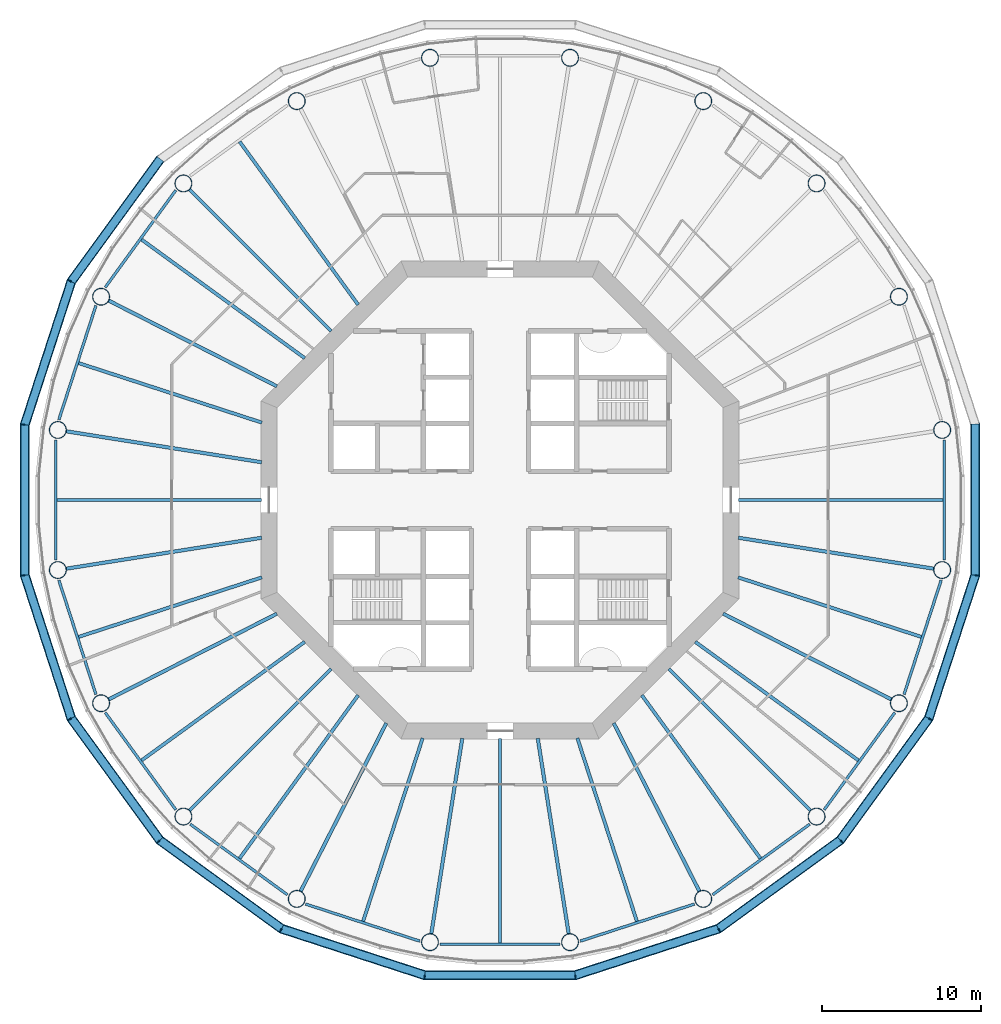
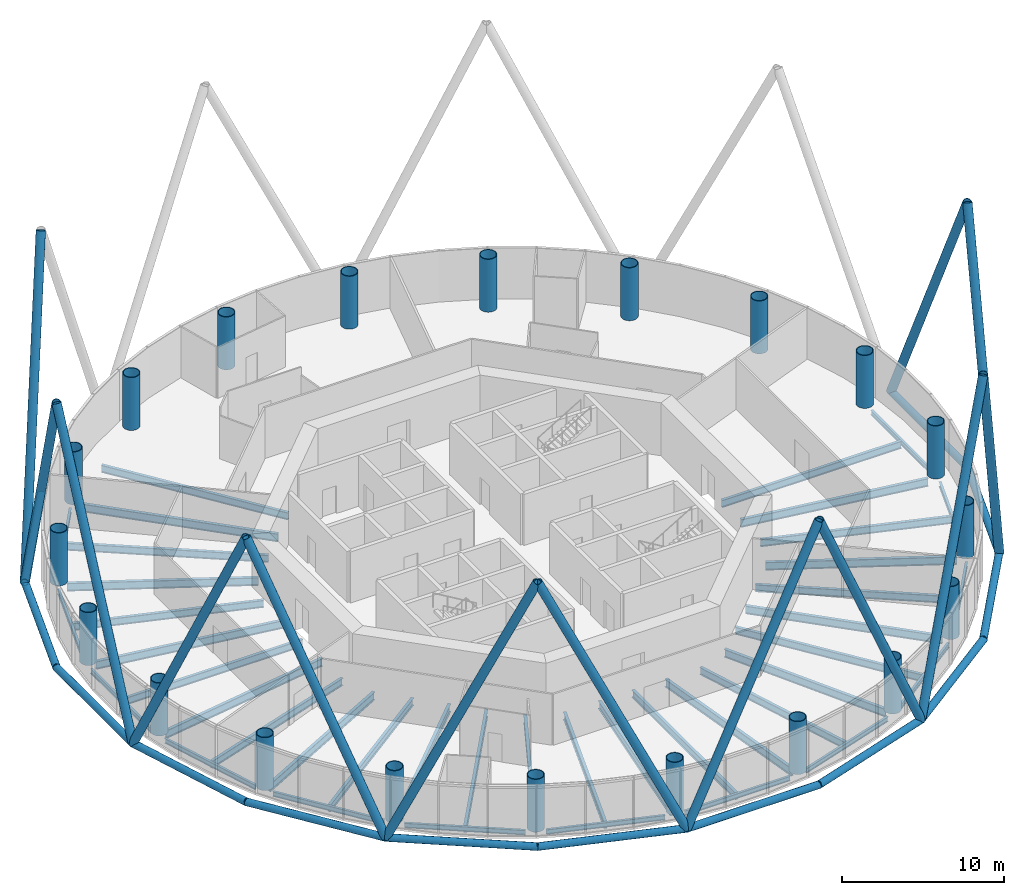
# One storey, part 1 of 12: 40 beams, 26 members, 20 columns.
"""IFC4 building model written with IfcOpenShell, lengths in metres."""

from ifc_helpers import new_model, si_unit, direction, frame, origin, origin_2d, place, context, subcontext, project, spatial, circle, hollow_circle, i_section, extrude, material, material_profile, profile_set, type_object, element, save


model = new_model("IFC4")

# Units and contexts
model_context = context("Model", 3, precision=1e-05, world=origin(), true_north=direction((0.0, 1.0)))
body_context = subcontext(model_context, "Body", "Model", "MODEL_VIEW")
ifc_project = project(units=[si_unit("LENGTHUNIT", "METRE"), si_unit("AREAUNIT", "SQUARE_METRE"), si_unit("VOLUMEUNIT", "CUBIC_METRE"), si_unit("PLANEANGLEUNIT", "RADIAN"), si_unit("MASSUNIT", "GRAM", prefix="KILO")], contexts=[model_context])

# Site, building, storey
site_placement = place(None, origin())
site = spatial("IfcSite", under=ifc_project, at=site_placement, CompositionType="ELEMENT")
building_placement = place(site_placement, origin())
building = spatial("IfcBuilding", under=site, at=building_placement, Name="Entoto Ring Tower", CompositionType="ELEMENT")
storey_placement = place(building_placement, frame((0.0, 0.0, 144.0)))
storey = spatial("IfcBuildingStorey", under=building, at=storey_placement, Name="L32", CompositionType="ELEMENT", Elevation=144.0)

# Columns
ifc_material_1 = material(Name="Steel S355", Category="steel")
ifc_material_profile_1 = material_profile(ifc_material_1, hollow_circle(Radius=0.550048828125, WallThickness=0.050048828125, at=origin_2d()), Name="CHS 1100 x 50")
ifc_material_2 = material(Name="Concrete C60/75", Category="concrete")
ifc_material_profile_2 = material_profile(ifc_material_2, circle(Radius=0.5, at=origin_2d()), Name="Concrete C60/75 infill")
ifc_profile_set_1 = profile_set([ifc_material_profile_1, ifc_material_profile_2], Name="Steel S355")
column_type = type_object("IfcColumnType", Name="Ring column 1100 x 50 concrete-filled tube", PredefinedType="COLUMN", material=ifc_profile_set_1)
for number, where, z_axis, x_axis, name in (
    (1, (117.754150390625, 84.395751953125, 0.0), (0.0, 0.0, 1.0), (1.0, 0.0, 0.0), "RC3 R01"),
    (2, (115.037353515625, 92.757080078125, 0.0), (0.0, 0.0, 1.0), (1.0, 0.0, 0.0), "RC3 R02"),
    (3, (109.86962890625, 99.86962890625, 0.0), (0.0, 0.0, 1.0), (1.0, 0.0, 0.0), "RC3 R03"),
    (4, (102.757080078125, 105.037353515625, 0.0), (0.0, 0.0, 1.0), (1.0, 0.0, 0.0), "RC3 R04"),
    (5, (94.395751953125, 107.754150390625, 0.0), (0.0, 0.0, 1.0), (1.0, 0.0, 0.0), "RC3 R05"),
    (6, (85.604248046875, 107.754150390625, 0.0), (0.0, 0.0, 1.0), (1.0, 0.0, 0.0), "RC3 R06"),
    (7, (77.242919921875, 105.037353515625, 0.0), (0.0, 0.0, 1.0), (1.0, 0.0, 0.0), "RC3 R07"),
    (8, (70.13037109375, 99.86962890625, 0.0), (0.0, 0.0, 1.0), (1.0, 0.0, 0.0), "RC3 R08"),
    (9, (64.962646484375, 92.757080078125, 0.0), (0.0, 0.0, 1.0), (1.0, 0.0, 0.0), "RC3 R09"),
    (10, (62.245849609375, 84.395751953125, 0.0), (0.0, 0.0, 1.0), (1.0, 0.0, 0.0), "RC3 R10"),
    (11, (62.245849609375, 75.604248046875, 0.0), (0.0, 0.0, 1.0), (1.0, 0.0, 0.0), "RC3 R11"),
    (12, (64.962646484375, 67.242919921875, 0.0), (0.0, 0.0, 1.0), (1.0, 0.0, 0.0), "RC3 R12"),
    (13, (70.13037109375, 60.13037109375, 0.0), (0.0, 0.0, 1.0), (1.0, 0.0, 0.0), "RC3 R13"),
    (14, (77.242919921875, 54.962646484375, 0.0), (0.0, 0.0, 1.0), (1.0, 0.0, 0.0), "RC3 R14"),
    (15, (85.604248046875, 52.245849609375, 0.0), (0.0, 0.0, 1.0), (1.0, 0.0, 0.0), "RC3 R15"),
    (16, (94.395751953125, 52.245849609375, 0.0), (0.0, 0.0, 1.0), (1.0, 0.0, 0.0), "RC3 R16"),
    (17, (102.757080078125, 54.962646484375, 0.0), (0.0, 0.0, 1.0), (1.0, 0.0, 0.0), "RC3 R17"),
    (18, (109.86962890625, 60.13037109375, 0.0), (0.0, 0.0, 1.0), (1.0, 0.0, 0.0), "RC3 R18"),
    (19, (115.037353515625, 67.242919921875, 0.0), (0.0, 0.0, 1.0), (1.0, 0.0, 0.0), "RC3 R19"),
    (20, (117.754150390625, 75.604248046875, 0.0), (0.0, 0.0, 1.0), (1.0, 0.0, 0.0), "RC3 R20"),
):
    element("IfcColumn", number, at=place(storey_placement, frame(where, z_axis=z_axis, x_axis=x_axis)), inside=storey, type_object=column_type, Name=name, PredefinedType="COLUMN", context=body_context, shape_type="SweptSolid", body=[
        extrude(hollow_circle(Radius=0.550048828125, WallThickness=0.050048828125, at=origin_2d()), origin(), (0.0, 0.0, 1.0), 4.0),
    ])

# Members
ifc_material_3 = material(Name="Steel S355", Category="steel")
ifc_material_profile_3 = material_profile(ifc_material_3, hollow_circle(Radius=0.300048828125, WallThickness=0.030029296875, at=origin_2d()), Name="CHS 600 x 30")
ifc_material_4 = material(Name="Concrete C60/75", Category="concrete")
ifc_material_profile_4 = material_profile(ifc_material_4, circle(Radius=0.27001953125, at=origin_2d()), Name="Concrete C60/75 infill")
ifc_profile_set_2 = profile_set([ifc_material_profile_3, ifc_material_profile_4], Name="Steel S355")
member_type_1 = type_object("IfcMemberType", Name="Diagrid diagonal 600 x 30 concrete-filled tube", PredefinedType="BRACE", material=ifc_profile_set_2)
for number, where, z_axis, x_axis, name in (
    (21, (119.828125, 84.724365234375, 0.0), (0.0, -0.427164734279, 0.904173816137), (1.0, 0.0, 0.0), "DG4 module 11 01"),
    (22, (63.091552734375, 93.71044921875, 0.0), (0.2510759177, 0.345588098254, 0.904173517582), (-0.809026493198, 0.587772178061, 0.0), "DG4 module 11 09"),
    (23, (63.091552734375, 93.71044921875, 0.0), (-0.131995385813, -0.406250870943, 0.904177774545), (0.951058940693, -0.309009532745, 0.0), "DG4 module 11 10"),
    (24, (60.171875, 75.275634765625, 0.0), (0.0, 0.427164734279, 0.904173816137), (-1.0, 0.0, 0.0), "DG4 module 11 11"),
    (25, (60.171875, 75.275634765625, 0.0), (0.131995385813, -0.406250870943, 0.904177774545), (0.951058940693, 0.309009532745, 0.0), "DG4 module 11 12"),
    (26, (68.645263671875, 58.645263671875, 0.0), (-0.2510759177, 0.345588098254, 0.904173517582), (-0.809026493198, -0.587772178061, 0.0), "DG4 module 11 13"),
    (27, (68.645263671875, 58.645263671875, 0.0), (0.345588098254, -0.2510759177, 0.904173517582), (0.587772178061, 0.809026493198, 0.0), "DG4 module 11 14"),
    (28, (85.275634765625, 50.171875, 0.0), (-0.406250870943, 0.131995385813, 0.904177774545), (-0.309009532745, -0.951058940693, 0.0), "DG4 module 11 15"),
    (29, (85.275634765625, 50.171875, 0.0), (0.427164734279, 0.0, 0.904173816137), (0.0, 1.0, 0.0), "DG4 module 11 16"),
    (30, (103.71044921875, 53.091552734375, 0.0), (-0.406250870943, -0.131995385813, 0.904177774545), (0.309009532745, -0.951058940693, 0.0), "DG4 module 11 17"),
    (31, (103.71044921875, 53.091552734375, 0.0), (0.345588098254, 0.2510759177, 0.904173517582), (-0.587772178061, 0.809026493198, 0.0), "DG4 module 11 18"),
    (32, (116.908447265625, 66.28955078125, 0.0), (-0.2510759177, -0.345588098254, 0.904173517582), (0.809026493198, -0.587772178061, 0.0), "DG4 module 11 19"),
    (33, (116.908447265625, 66.28955078125, 0.0), (0.131995385813, 0.406250870943, 0.904177774545), (-0.951058940693, 0.309009532745, 0.0), "DG4 module 11 20"),
):
    element("IfcMember", number, at=place(storey_placement, frame(where, z_axis=z_axis, x_axis=x_axis)), inside=storey, type_object=member_type_1, Name=name, PredefinedType="BRACE", context=body_context, shape_type="SweptSolid", body=[
        extrude(hollow_circle(Radius=0.300048828125, WallThickness=0.030029296875, at=origin_2d()), origin(), (0.0, 0.0, 1.0), 22.11962890625),
    ])
ifc_material_5 = material(Name="Steel S355", Category="steel")
ifc_material_profile_5 = material_profile(ifc_material_5, hollow_circle(Radius=0.25390625, WallThickness=0.030029296875, at=origin_2d()), Name="CHS 508 x 30")
ifc_material_6 = material(Name="Concrete C60/75", Category="concrete")
ifc_material_profile_6 = material_profile(ifc_material_6, circle(Radius=0.22412109375, at=origin_2d()), Name="Concrete C60/75 infill")
ifc_profile_set_3 = profile_set([ifc_material_profile_5, ifc_material_profile_6], Name="Steel S355")
member_type_2 = type_object("IfcMemberType", Name="Diagrid ring beam 508 x 30", PredefinedType="CHORD", material=ifc_profile_set_3)
for number, where, z_axis, x_axis, name in (
    (34, (68.6806640625, 101.4033203125, 0.0), (-0.587786303985, -0.809016230274, 0.0), (0.809016230274, -0.587786303985, 0.0), "DR2 ring 10 08"),
    (35, (63.110107421875, 93.767822265625, 0.0), (-0.308993189852, -0.951064250524, 0.0), (0.951064250524, -0.308993189852, 0.0), "DR2 ring 10 09"),
):
    element("IfcMember", number, at=place(storey_placement, frame(where, z_axis=z_axis, x_axis=x_axis)), inside=storey, type_object=member_type_2, Name=name, PredefinedType="CHORD", context=body_context, shape_type="SweptSolid", body=[
        extrude(hollow_circle(Radius=0.25390625, WallThickness=0.030029296875, at=origin_2d()), origin(), (0.0, 0.0, 1.0), 9.569091796875),
    ])
member_1_placement = place(storey_placement, frame((60.171875, 84.78466796875, 0.0), z_axis=(0.0, -1.0, 0.0), x_axis=(1.0, 0.0, 0.0)))
element("IfcMember", 36, at=member_1_placement, inside=storey, type_object=member_type_2, Name="DR2 ring 10 10", PredefinedType="CHORD", context=body_context, shape_type="SweptSolid", body=[
    extrude(hollow_circle(Radius=0.25390625, WallThickness=0.030029296875, at=origin_2d()), origin(), (0.0, 0.0, 1.0), 9.5693359375),
])
for number, where, z_axis, x_axis, name in (
    (37, (60.1533203125, 75.3330078125, 0.0), (0.308993189852, -0.951064250524, 0.0), (0.951064250524, 0.308993189852, 0.0), "DR2 ring 10 11"),
    (38, (63.05615234375, 66.338134765625, 0.0), (0.587786303985, -0.809016230274, 0.0), (0.809016230274, 0.587786303985, 0.0), "DR2 ring 10 12"),
    (39, (68.5966796875, 58.6806640625, 0.0), (0.809016230274, -0.587786303985, 0.0), (0.587786303985, 0.809016230274, 0.0), "DR2 ring 10 13"),
    (40, (76.232177734375, 53.110107421875, 0.0), (0.951064250524, -0.308993189852, 0.0), (0.308993189852, 0.951064250524, 0.0), "DR2 ring 10 14"),
):
    element("IfcMember", number, at=place(storey_placement, frame(where, z_axis=z_axis, x_axis=x_axis)), inside=storey, type_object=member_type_2, Name=name, PredefinedType="CHORD", context=body_context, shape_type="SweptSolid", body=[
        extrude(hollow_circle(Radius=0.25390625, WallThickness=0.030029296875, at=origin_2d()), origin(), (0.0, 0.0, 1.0), 9.569091796875),
    ])
member_2_placement = place(storey_placement, frame((85.21533203125, 50.171875, 0.0), z_axis=(1.0, 0.0, 0.0), x_axis=(0.0, 1.0, 0.0)))
element("IfcMember", 41, at=member_2_placement, inside=storey, type_object=member_type_2, Name="DR2 ring 10 15", PredefinedType="CHORD", context=body_context, shape_type="SweptSolid", body=[
    extrude(hollow_circle(Radius=0.25390625, WallThickness=0.030029296875, at=origin_2d()), origin(), (0.0, 0.0, 1.0), 9.5693359375),
])
for number, where, z_axis, x_axis, name in (
    (42, (94.6669921875, 50.1533203125, 0.0), (0.951064250524, 0.308993189852, 0.0), (-0.308993189852, 0.951064250524, 0.0), "DR2 ring 10 16"),
    (43, (103.661865234375, 53.05615234375, 0.0), (0.809016230274, 0.587786303985, 0.0), (-0.587786303985, 0.809016230274, 0.0), "DR2 ring 10 17"),
    (44, (111.3193359375, 58.5966796875, 0.0), (0.587786303985, 0.809016230274, 0.0), (-0.809016230274, 0.587786303985, 0.0), "DR2 ring 10 18"),
    (45, (116.889892578125, 66.232177734375, 0.0), (0.308993189852, 0.951064250524, 0.0), (-0.951064250524, 0.308993189852, 0.0), "DR2 ring 10 19"),
):
    element("IfcMember", number, at=place(storey_placement, frame(where, z_axis=z_axis, x_axis=x_axis)), inside=storey, type_object=member_type_2, Name=name, PredefinedType="CHORD", context=body_context, shape_type="SweptSolid", body=[
        extrude(hollow_circle(Radius=0.25390625, WallThickness=0.030029296875, at=origin_2d()), origin(), (0.0, 0.0, 1.0), 9.569091796875),
    ])
member_3_placement = place(storey_placement, frame((119.828125, 75.21533203125, 0.0), z_axis=(0.0, 1.0, 0.0), x_axis=(-1.0, 0.0, 0.0)))
element("IfcMember", 46, at=member_3_placement, inside=storey, type_object=member_type_2, Name="DR2 ring 10 20", PredefinedType="CHORD", context=body_context, shape_type="SweptSolid", body=[
    extrude(hollow_circle(Radius=0.25390625, WallThickness=0.030029296875, at=origin_2d()), origin(), (0.0, 0.0, 1.0), 9.5693359375),
])

# Beams
ifc_material_7 = material(Name="Steel S355", Category="steel")
ifc_material_profile_7 = material_profile(ifc_material_7, i_section(OverallWidth=0.169921875, OverallDepth=0.360107421875, WebThickness=0.008056640625, FlangeThickness=0.0126953125, FilletRadius=0.01806640625, at=origin_2d()), Name="IPE 360")
ifc_profile_set_4 = profile_set([ifc_material_profile_7], Name="Steel S355")
beam_type_1 = type_object("IfcBeamType", Name="Edge beam IPE 360", PredefinedType="SPANDREL", material=ifc_profile_set_4)
beam_1_placement = place(storey_placement, frame((69.651123046875, 99.44140625, -0.330078125), z_axis=(-0.587768988703, -0.809028810315, 0.0), x_axis=(0.809028810315, -0.587768988703, 0.0)))
element("IfcBeam", 47, at=beam_1_placement, inside=storey, type_object=beam_type_1, Name="Edge beam L32 08", PredefinedType="SPANDREL", context=body_context, shape_type="SweptSolid", body=[
    extrude(i_section(OverallWidth=0.169921875, OverallDepth=0.360107421875, WebThickness=0.008056640625, FlangeThickness=0.0126953125, FilletRadius=0.01806640625, at=origin_2d()), origin(), (0.0, 0.0, 1.0), 7.53515625),
])
beam_2_placement = place(storey_placement, frame((64.639404296875, 92.20166015625, -0.330078125), z_axis=(-0.309025998114, -0.951053590756, 0.0), x_axis=(0.951053590756, -0.309025998114, 0.0)))
element("IfcBeam", 48, at=beam_2_placement, inside=storey, type_object=beam_type_1, Name="Edge beam L32 09", PredefinedType="SPANDREL", context=body_context, shape_type="SweptSolid", body=[
    extrude(i_section(OverallWidth=0.169921875, OverallDepth=0.360107421875, WebThickness=0.008056640625, FlangeThickness=0.0126953125, FilletRadius=0.01806640625, at=origin_2d()), origin(), (0.0, 0.0, 1.0), 7.535400390625),
])
beam_3_placement = place(storey_placement, frame((62.110107421875, 83.767578125, -0.330078125), z_axis=(0.0, -1.0, 0.0), x_axis=(1.0, 0.0, 0.0)))
element("IfcBeam", 49, at=beam_3_placement, inside=storey, type_object=beam_type_1, Name="Edge beam L32 10", PredefinedType="SPANDREL", context=body_context, shape_type="SweptSolid", body=[
    extrude(i_section(OverallWidth=0.169921875, OverallDepth=0.360107421875, WebThickness=0.008056640625, FlangeThickness=0.0126953125, FilletRadius=0.01806640625, at=origin_2d()), origin(), (0.0, 0.0, 1.0), 7.53515625),
])
beam_4_placement = place(storey_placement, frame((62.310791015625, 74.96484375, -0.330078125), z_axis=(0.309025998114, -0.951053590756, 0.0), x_axis=(0.951053590756, 0.309025998114, 0.0)))
element("IfcBeam", 50, at=beam_4_placement, inside=storey, type_object=beam_type_1, Name="Edge beam L32 11", PredefinedType="SPANDREL", context=body_context, shape_type="SweptSolid", body=[
    extrude(i_section(OverallWidth=0.169921875, OverallDepth=0.360107421875, WebThickness=0.008056640625, FlangeThickness=0.0126953125, FilletRadius=0.01806640625, at=origin_2d()), origin(), (0.0, 0.0, 1.0), 7.535400390625),
])
for number, where, z_axis, x_axis, name in (
    (51, (65.22216796875, 66.65478515625, -0.330078125), (0.587768988703, -0.809028810315, 0.0), (0.809028810315, 0.587768988703, 0.0), "Edge beam L32 12"),
    (52, (70.55859375, 59.651123046875, -0.330078125), (0.809028810315, -0.587768988703, 0.0), (0.587768988703, 0.809028810315, 0.0), "Edge beam L32 13"),
):
    element("IfcBeam", number, at=place(storey_placement, frame(where, z_axis=z_axis, x_axis=x_axis)), inside=storey, type_object=beam_type_1, Name=name, PredefinedType="SPANDREL", context=body_context, shape_type="SweptSolid", body=[
        extrude(i_section(OverallWidth=0.169921875, OverallDepth=0.360107421875, WebThickness=0.008056640625, FlangeThickness=0.0126953125, FilletRadius=0.01806640625, at=origin_2d()), origin(), (0.0, 0.0, 1.0), 7.53515625),
    ])
beam_5_placement = place(storey_placement, frame((77.79833984375, 54.639404296875, -0.330078125), z_axis=(0.951053590756, -0.309025998114, 0.0), x_axis=(0.309025998114, 0.951053590756, 0.0)))
element("IfcBeam", 53, at=beam_5_placement, inside=storey, type_object=beam_type_1, Name="Edge beam L32 14", PredefinedType="SPANDREL", context=body_context, shape_type="SweptSolid", body=[
    extrude(i_section(OverallWidth=0.169921875, OverallDepth=0.360107421875, WebThickness=0.008056640625, FlangeThickness=0.0126953125, FilletRadius=0.01806640625, at=origin_2d()), origin(), (0.0, 0.0, 1.0), 7.535400390625),
])
beam_6_placement = place(storey_placement, frame((86.232421875, 52.110107421875, -0.330078125), z_axis=(1.0, 0.0, 0.0), x_axis=(0.0, 1.0, 0.0)))
element("IfcBeam", 54, at=beam_6_placement, inside=storey, type_object=beam_type_1, Name="Edge beam L32 15", PredefinedType="SPANDREL", context=body_context, shape_type="SweptSolid", body=[
    extrude(i_section(OverallWidth=0.169921875, OverallDepth=0.360107421875, WebThickness=0.008056640625, FlangeThickness=0.0126953125, FilletRadius=0.01806640625, at=origin_2d()), origin(), (0.0, 0.0, 1.0), 7.53515625),
])
beam_7_placement = place(storey_placement, frame((95.03515625, 52.310791015625, -0.330078125), z_axis=(0.951053590756, 0.309025998114, 0.0), x_axis=(-0.309025998114, 0.951053590756, 0.0)))
element("IfcBeam", 55, at=beam_7_placement, inside=storey, type_object=beam_type_1, Name="Edge beam L32 16", PredefinedType="SPANDREL", context=body_context, shape_type="SweptSolid", body=[
    extrude(i_section(OverallWidth=0.169921875, OverallDepth=0.360107421875, WebThickness=0.008056640625, FlangeThickness=0.0126953125, FilletRadius=0.01806640625, at=origin_2d()), origin(), (0.0, 0.0, 1.0), 7.535400390625),
])
for number, where, z_axis, x_axis, name in (
    (56, (103.34521484375, 55.22216796875, -0.330078125), (0.809028810315, 0.587768988703, 0.0), (-0.587768988703, 0.809028810315, 0.0), "Edge beam L32 17"),
    (57, (110.348876953125, 60.55859375, -0.330078125), (0.587768988703, 0.809028810315, 0.0), (-0.809028810315, 0.587768988703, 0.0), "Edge beam L32 18"),
):
    element("IfcBeam", number, at=place(storey_placement, frame(where, z_axis=z_axis, x_axis=x_axis)), inside=storey, type_object=beam_type_1, Name=name, PredefinedType="SPANDREL", context=body_context, shape_type="SweptSolid", body=[
        extrude(i_section(OverallWidth=0.169921875, OverallDepth=0.360107421875, WebThickness=0.008056640625, FlangeThickness=0.0126953125, FilletRadius=0.01806640625, at=origin_2d()), origin(), (0.0, 0.0, 1.0), 7.53515625),
    ])
beam_8_placement = place(storey_placement, frame((115.360595703125, 67.79833984375, -0.330078125), z_axis=(0.309025998114, 0.951053590756, 0.0), x_axis=(-0.951053590756, 0.309025998114, 0.0)))
element("IfcBeam", 58, at=beam_8_placement, inside=storey, type_object=beam_type_1, Name="Edge beam L32 19", PredefinedType="SPANDREL", context=body_context, shape_type="SweptSolid", body=[
    extrude(i_section(OverallWidth=0.169921875, OverallDepth=0.360107421875, WebThickness=0.008056640625, FlangeThickness=0.0126953125, FilletRadius=0.01806640625, at=origin_2d()), origin(), (0.0, 0.0, 1.0), 7.535400390625),
])
beam_9_placement = place(storey_placement, frame((117.889892578125, 76.232421875, -0.330078125), z_axis=(0.0, 1.0, 0.0), x_axis=(-1.0, 0.0, 0.0)))
element("IfcBeam", 59, at=beam_9_placement, inside=storey, type_object=beam_type_1, Name="Edge beam L32 20", PredefinedType="SPANDREL", context=body_context, shape_type="SweptSolid", body=[
    extrude(i_section(OverallWidth=0.169921875, OverallDepth=0.360107421875, WebThickness=0.008056640625, FlangeThickness=0.0126953125, FilletRadius=0.01806640625, at=origin_2d()), origin(), (0.0, 0.0, 1.0), 7.53515625),
])
ifc_material_8 = material(Name="Steel S355", Category="steel")
ifc_material_profile_8 = material_profile(ifc_material_8, i_section(OverallWidth=0.219970703125, OverallDepth=0.60009765625, WebThickness=0.011962890625, FlangeThickness=0.01904296875, FilletRadius=0.02392578125, at=origin_2d()), Name="IPE 600")
ifc_profile_set_5 = profile_set([ifc_material_profile_8], Name="Steel S355")
beam_type_2 = type_object("IfcBeamType", Name="Primary floor beam IPE 600", PredefinedType="BEAM", material=ifc_profile_set_5)
beam_10_placement = place(storey_placement, frame((79.407470703125, 90.592529296875, -0.449951171875), z_axis=(-0.707106781187, 0.707106781187, 0.0), x_axis=(-0.707106781187, -0.707106781187, 0.0)))
element("IfcBeam", 60, at=beam_10_placement, inside=storey, type_object=beam_type_2, Name="Primary L32 R08", PredefinedType="BEAM", context=body_context, shape_type="SweptSolid", body=[
    extrude(i_section(OverallWidth=0.219970703125, OverallDepth=0.60009765625, WebThickness=0.011962890625, FlangeThickness=0.01904296875, FilletRadius=0.02392578125, at=origin_2d()), origin(), (0.0, 0.0, 1.0), 12.60595703125),
])
beam_11_placement = place(storey_placement, frame((75.996826171875, 87.135009765625, -0.449951171875), z_axis=(-0.891011869487, 0.453980008848, 0.0), x_axis=(-0.453980008848, -0.891011869487, 0.0)))
element("IfcBeam", 61, at=beam_11_placement, inside=storey, type_object=beam_type_2, Name="Primary L32 R09", PredefinedType="BEAM", context=body_context, shape_type="SweptSolid", body=[
    extrude(i_section(OverallWidth=0.219970703125, OverallDepth=0.60009765625, WebThickness=0.011962890625, FlangeThickness=0.01904296875, FilletRadius=0.02392578125, at=origin_2d()), origin(), (0.0, 0.0, 1.0), 11.869873046875),
])
for number, where, z_axis, x_axis, name in (
    (62, (75.036865234375, 82.369873046875, -0.449951171875), (-0.987687242438, 0.156441398374, 0.0), (-0.156441398374, -0.987687242438, 0.0), "Primary L32 R10"),
    (63, (75.036865234375, 77.630126953125, -0.449951171875), (-0.987687242438, -0.156441398374, 0.0), (0.156441398374, -0.987687242438, 0.0), "Primary L32 R11"),
):
    element("IfcBeam", number, at=place(storey_placement, frame(where, z_axis=z_axis, x_axis=x_axis)), inside=storey, type_object=beam_type_2, Name=name, PredefinedType="BEAM", context=body_context, shape_type="SweptSolid", body=[
        extrude(i_section(OverallWidth=0.219970703125, OverallDepth=0.60009765625, WebThickness=0.011962890625, FlangeThickness=0.01904296875, FilletRadius=0.02392578125, at=origin_2d()), origin(), (0.0, 0.0, 1.0), 12.436279296875),
    ])
beam_12_placement = place(storey_placement, frame((75.996826171875, 72.864990234375, -0.449951171875), z_axis=(-0.891011869487, -0.453980008848, 0.0), x_axis=(0.453980008848, -0.891011869487, 0.0)))
element("IfcBeam", 64, at=beam_12_placement, inside=storey, type_object=beam_type_2, Name="Primary L32 R12", PredefinedType="BEAM", context=body_context, shape_type="SweptSolid", body=[
    extrude(i_section(OverallWidth=0.219970703125, OverallDepth=0.60009765625, WebThickness=0.011962890625, FlangeThickness=0.01904296875, FilletRadius=0.02392578125, at=origin_2d()), origin(), (0.0, 0.0, 1.0), 11.869873046875),
])
beam_13_placement = place(storey_placement, frame((79.407470703125, 69.407470703125, -0.449951171875), z_axis=(-0.707106781187, -0.707106781187, 0.0), x_axis=(0.707106781187, -0.707106781187, 0.0)))
element("IfcBeam", 65, at=beam_13_placement, inside=storey, type_object=beam_type_2, Name="Primary L32 R13", PredefinedType="BEAM", context=body_context, shape_type="SweptSolid", body=[
    extrude(i_section(OverallWidth=0.219970703125, OverallDepth=0.60009765625, WebThickness=0.011962890625, FlangeThickness=0.01904296875, FilletRadius=0.02392578125, at=origin_2d()), origin(), (0.0, 0.0, 1.0), 12.60595703125),
])
beam_14_placement = place(storey_placement, frame((82.864990234375, 65.996826171875, -0.449951171875), z_axis=(-0.453980008848, -0.891011869487, 0.0), x_axis=(0.891011869487, -0.453980008848, 0.0)))
element("IfcBeam", 66, at=beam_14_placement, inside=storey, type_object=beam_type_2, Name="Primary L32 R14", PredefinedType="BEAM", context=body_context, shape_type="SweptSolid", body=[
    extrude(i_section(OverallWidth=0.219970703125, OverallDepth=0.60009765625, WebThickness=0.011962890625, FlangeThickness=0.01904296875, FilletRadius=0.02392578125, at=origin_2d()), origin(), (0.0, 0.0, 1.0), 11.869873046875),
])
for number, where, z_axis, x_axis, name in (
    (67, (87.630126953125, 65.036865234375, -0.449951171875), (-0.156441398374, -0.987687242438, 0.0), (0.987687242438, -0.156441398374, 0.0), "Primary L32 R15"),
    (68, (92.369873046875, 65.036865234375, -0.449951171875), (0.156441398374, -0.987687242438, 0.0), (0.987687242438, 0.156441398374, 0.0), "Primary L32 R16"),
):
    element("IfcBeam", number, at=place(storey_placement, frame(where, z_axis=z_axis, x_axis=x_axis)), inside=storey, type_object=beam_type_2, Name=name, PredefinedType="BEAM", context=body_context, shape_type="SweptSolid", body=[
        extrude(i_section(OverallWidth=0.219970703125, OverallDepth=0.60009765625, WebThickness=0.011962890625, FlangeThickness=0.01904296875, FilletRadius=0.02392578125, at=origin_2d()), origin(), (0.0, 0.0, 1.0), 12.436279296875),
    ])
beam_15_placement = place(storey_placement, frame((97.135009765625, 65.996826171875, -0.449951171875), z_axis=(0.453980008848, -0.891011869487, 0.0), x_axis=(0.891011869487, 0.453980008848, 0.0)))
element("IfcBeam", 69, at=beam_15_placement, inside=storey, type_object=beam_type_2, Name="Primary L32 R17", PredefinedType="BEAM", context=body_context, shape_type="SweptSolid", body=[
    extrude(i_section(OverallWidth=0.219970703125, OverallDepth=0.60009765625, WebThickness=0.011962890625, FlangeThickness=0.01904296875, FilletRadius=0.02392578125, at=origin_2d()), origin(), (0.0, 0.0, 1.0), 11.869873046875),
])
beam_16_placement = place(storey_placement, frame((100.592529296875, 69.407470703125, -0.449951171875), z_axis=(0.707106781187, -0.707106781187, 0.0), x_axis=(0.707106781187, 0.707106781187, 0.0)))
element("IfcBeam", 70, at=beam_16_placement, inside=storey, type_object=beam_type_2, Name="Primary L32 R18", PredefinedType="BEAM", context=body_context, shape_type="SweptSolid", body=[
    extrude(i_section(OverallWidth=0.219970703125, OverallDepth=0.60009765625, WebThickness=0.011962890625, FlangeThickness=0.01904296875, FilletRadius=0.02392578125, at=origin_2d()), origin(), (0.0, 0.0, 1.0), 12.60595703125),
])
beam_17_placement = place(storey_placement, frame((104.003173828125, 72.864990234375, -0.449951171875), z_axis=(0.891011869487, -0.453980008848, 0.0), x_axis=(0.453980008848, 0.891011869487, 0.0)))
element("IfcBeam", 71, at=beam_17_placement, inside=storey, type_object=beam_type_2, Name="Primary L32 R19", PredefinedType="BEAM", context=body_context, shape_type="SweptSolid", body=[
    extrude(i_section(OverallWidth=0.219970703125, OverallDepth=0.60009765625, WebThickness=0.011962890625, FlangeThickness=0.01904296875, FilletRadius=0.02392578125, at=origin_2d()), origin(), (0.0, 0.0, 1.0), 11.869873046875),
])
beam_18_placement = place(storey_placement, frame((104.963134765625, 77.630126953125, -0.449951171875), z_axis=(0.987687242438, -0.156441398374, 0.0), x_axis=(0.156441398374, 0.987687242438, 0.0)))
element("IfcBeam", 72, at=beam_18_placement, inside=storey, type_object=beam_type_2, Name="Primary L32 R20", PredefinedType="BEAM", context=body_context, shape_type="SweptSolid", body=[
    extrude(i_section(OverallWidth=0.219970703125, OverallDepth=0.60009765625, WebThickness=0.011962890625, FlangeThickness=0.01904296875, FilletRadius=0.02392578125, at=origin_2d()), origin(), (0.0, 0.0, 1.0), 12.436279296875),
])
ifc_material_9 = material(Name="Steel S355", Category="steel")
ifc_material_profile_9 = material_profile(ifc_material_9, i_section(OverallWidth=0.2099609375, OverallDepth=0.550048828125, WebThickness=0.010986328125, FlangeThickness=0.01708984375, FilletRadius=0.02392578125, at=origin_2d()), Name="IPE 550")
ifc_profile_set_6 = profile_set([ifc_material_profile_9], Name="Steel S355")
beam_type_3 = type_object("IfcBeamType", Name="Secondary floor beam IPE 550", PredefinedType="JOIST", material=ifc_profile_set_6)
for number, where, z_axis, x_axis, name in (
    (73, (81.094970703125, 92.2568359375, -0.425048828125), (-0.587787343736, 0.809015474848, 0.0), (-0.809015474848, -0.587787343736, 0.0), "Secondary beam L32 07"),
    (74, (77.7431640625, 88.905029296875, -0.425048828125), (-0.809015474848, 0.587787343736, 0.0), (-0.587787343736, -0.809015474848, 0.0), "Secondary beam L32 08"),
):
    element("IfcBeam", number, at=place(storey_placement, frame(where, z_axis=z_axis, x_axis=x_axis)), inside=storey, type_object=beam_type_3, Name=name, PredefinedType="JOIST", context=body_context, shape_type="SweptSolid", body=[
        extrude(i_section(OverallWidth=0.2099609375, OverallDepth=0.550048828125, WebThickness=0.010986328125, FlangeThickness=0.01708984375, FilletRadius=0.02392578125, at=origin_2d()), origin(), (0.0, 0.0, 1.0), 12.654541015625),
    ])
beam_19_placement = place(storey_placement, frame((75.051513671875, 84.857177734375, -0.425048828125), z_axis=(-0.951057518409, 0.309013910167, 0.0), x_axis=(-0.309013910167, -0.951057518409, 0.0)))
element("IfcBeam", 75, at=beam_19_placement, inside=storey, type_object=beam_type_3, Name="Secondary beam L32 09", PredefinedType="JOIST", context=body_context, shape_type="SweptSolid", body=[
    extrude(i_section(OverallWidth=0.2099609375, OverallDepth=0.550048828125, WebThickness=0.010986328125, FlangeThickness=0.01708984375, FilletRadius=0.02392578125, at=origin_2d()), origin(), (0.0, 0.0, 1.0), 12.087158203125),
])
beam_20_placement = place(storey_placement, frame((75.02001953125, 80.0, -0.425048828125), z_axis=(-1.0, 0.0, 0.0), x_axis=(0.0, -1.0, 0.0)))
element("IfcBeam", 76, at=beam_20_placement, inside=storey, type_object=beam_type_3, Name="Secondary beam L32 10", PredefinedType="JOIST", context=body_context, shape_type="SweptSolid", body=[
    extrude(i_section(OverallWidth=0.2099609375, OverallDepth=0.550048828125, WebThickness=0.010986328125, FlangeThickness=0.01708984375, FilletRadius=0.02392578125, at=origin_2d()), origin(), (0.0, 0.0, 1.0), 12.824951171875),
])
beam_21_placement = place(storey_placement, frame((75.051513671875, 75.142822265625, -0.425048828125), z_axis=(-0.951057518409, -0.309013910167, 0.0), x_axis=(0.309013910167, -0.951057518409, 0.0)))
element("IfcBeam", 77, at=beam_21_placement, inside=storey, type_object=beam_type_3, Name="Secondary beam L32 11", PredefinedType="JOIST", context=body_context, shape_type="SweptSolid", body=[
    extrude(i_section(OverallWidth=0.2099609375, OverallDepth=0.550048828125, WebThickness=0.010986328125, FlangeThickness=0.01708984375, FilletRadius=0.02392578125, at=origin_2d()), origin(), (0.0, 0.0, 1.0), 12.087158203125),
])
for number, where, z_axis, x_axis, name in (
    (78, (77.7431640625, 71.094970703125, -0.425048828125), (-0.809015474848, -0.587787343736, 0.0), (0.587787343736, -0.809015474848, 0.0), "Secondary beam L32 12"),
    (79, (81.094970703125, 67.7431640625, -0.425048828125), (-0.587787343736, -0.809015474848, 0.0), (0.809015474848, -0.587787343736, 0.0), "Secondary beam L32 13"),
):
    element("IfcBeam", number, at=place(storey_placement, frame(where, z_axis=z_axis, x_axis=x_axis)), inside=storey, type_object=beam_type_3, Name=name, PredefinedType="JOIST", context=body_context, shape_type="SweptSolid", body=[
        extrude(i_section(OverallWidth=0.2099609375, OverallDepth=0.550048828125, WebThickness=0.010986328125, FlangeThickness=0.01708984375, FilletRadius=0.02392578125, at=origin_2d()), origin(), (0.0, 0.0, 1.0), 12.654541015625),
    ])
beam_22_placement = place(storey_placement, frame((85.142822265625, 65.051513671875, -0.425048828125), z_axis=(-0.309013910167, -0.951057518409, 0.0), x_axis=(0.951057518409, -0.309013910167, 0.0)))
element("IfcBeam", 80, at=beam_22_placement, inside=storey, type_object=beam_type_3, Name="Secondary beam L32 14", PredefinedType="JOIST", context=body_context, shape_type="SweptSolid", body=[
    extrude(i_section(OverallWidth=0.2099609375, OverallDepth=0.550048828125, WebThickness=0.010986328125, FlangeThickness=0.01708984375, FilletRadius=0.02392578125, at=origin_2d()), origin(), (0.0, 0.0, 1.0), 12.087158203125),
])
beam_23_placement = place(storey_placement, frame((90.0, 65.02001953125, -0.425048828125), z_axis=(0.0, -1.0, 0.0), x_axis=(1.0, 0.0, 0.0)))
element("IfcBeam", 81, at=beam_23_placement, inside=storey, type_object=beam_type_3, Name="Secondary beam L32 15", PredefinedType="JOIST", context=body_context, shape_type="SweptSolid", body=[
    extrude(i_section(OverallWidth=0.2099609375, OverallDepth=0.550048828125, WebThickness=0.010986328125, FlangeThickness=0.01708984375, FilletRadius=0.02392578125, at=origin_2d()), origin(), (0.0, 0.0, 1.0), 12.824951171875),
])
beam_24_placement = place(storey_placement, frame((94.857177734375, 65.051513671875, -0.425048828125), z_axis=(0.309013910167, -0.951057518409, 0.0), x_axis=(0.951057518409, 0.309013910167, 0.0)))
element("IfcBeam", 82, at=beam_24_placement, inside=storey, type_object=beam_type_3, Name="Secondary beam L32 16", PredefinedType="JOIST", context=body_context, shape_type="SweptSolid", body=[
    extrude(i_section(OverallWidth=0.2099609375, OverallDepth=0.550048828125, WebThickness=0.010986328125, FlangeThickness=0.01708984375, FilletRadius=0.02392578125, at=origin_2d()), origin(), (0.0, 0.0, 1.0), 12.087158203125),
])
for number, where, z_axis, x_axis, name in (
    (83, (98.905029296875, 67.7431640625, -0.425048828125), (0.587787343736, -0.809015474848, 0.0), (0.809015474848, 0.587787343736, 0.0), "Secondary beam L32 17"),
    (84, (102.2568359375, 71.094970703125, -0.425048828125), (0.809015474848, -0.587787343736, 0.0), (0.587787343736, 0.809015474848, 0.0), "Secondary beam L32 18"),
):
    element("IfcBeam", number, at=place(storey_placement, frame(where, z_axis=z_axis, x_axis=x_axis)), inside=storey, type_object=beam_type_3, Name=name, PredefinedType="JOIST", context=body_context, shape_type="SweptSolid", body=[
        extrude(i_section(OverallWidth=0.2099609375, OverallDepth=0.550048828125, WebThickness=0.010986328125, FlangeThickness=0.01708984375, FilletRadius=0.02392578125, at=origin_2d()), origin(), (0.0, 0.0, 1.0), 12.654541015625),
    ])
beam_25_placement = place(storey_placement, frame((104.948486328125, 75.142822265625, -0.425048828125), z_axis=(0.951057518409, -0.309013910167, 0.0), x_axis=(0.309013910167, 0.951057518409, 0.0)))
element("IfcBeam", 85, at=beam_25_placement, inside=storey, type_object=beam_type_3, Name="Secondary beam L32 19", PredefinedType="JOIST", context=body_context, shape_type="SweptSolid", body=[
    extrude(i_section(OverallWidth=0.2099609375, OverallDepth=0.550048828125, WebThickness=0.010986328125, FlangeThickness=0.01708984375, FilletRadius=0.02392578125, at=origin_2d()), origin(), (0.0, 0.0, 1.0), 12.087158203125),
])
beam_26_placement = place(storey_placement, frame((104.97998046875, 80.0, -0.425048828125), z_axis=(1.0, 0.0, 0.0), x_axis=(0.0, 1.0, 0.0)))
element("IfcBeam", 86, at=beam_26_placement, inside=storey, type_object=beam_type_3, Name="Secondary beam L32 20", PredefinedType="JOIST", context=body_context, shape_type="SweptSolid", body=[
    extrude(i_section(OverallWidth=0.2099609375, OverallDepth=0.550048828125, WebThickness=0.010986328125, FlangeThickness=0.01708984375, FilletRadius=0.02392578125, at=origin_2d()), origin(), (0.0, 0.0, 1.0), 12.824951171875),
])

save(model, "model.ifc")
